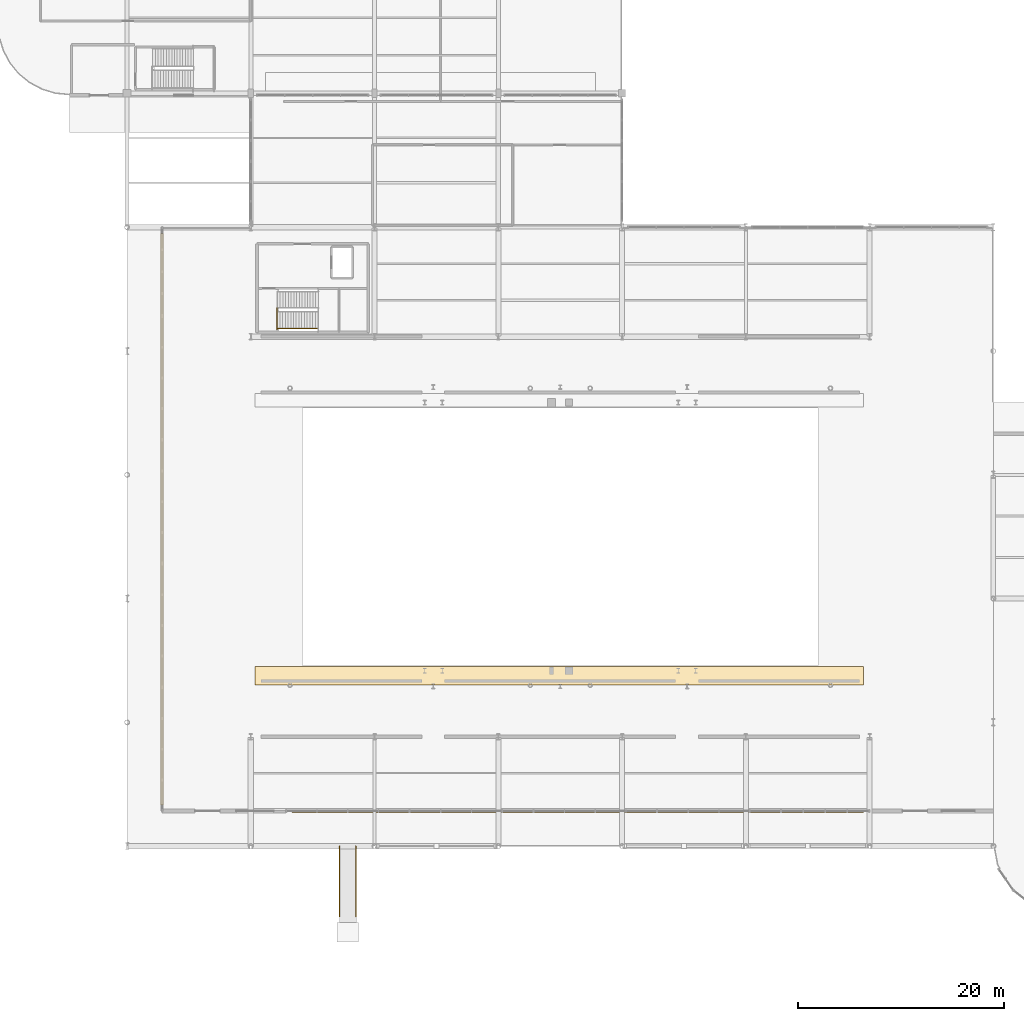
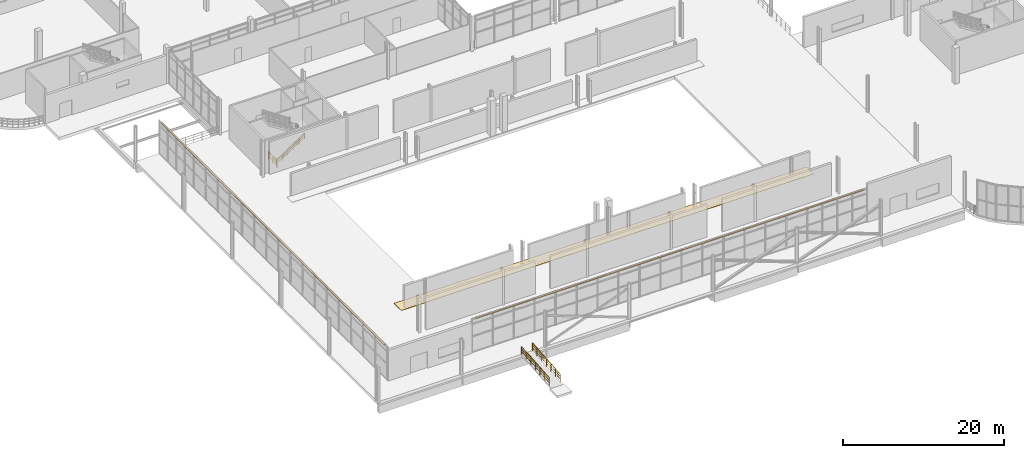
# One storey, part 71 of 85: 4 railings, 3 coverings.
"""IFC4 building model written with IfcOpenShell, lengths in metres."""

from ifc_helpers import new_model, si_unit, direction, frame, origin, origin_2d, place, context, subcontext, project, spatial, rectangle, circle, extrude, material, layer, layer_set, type_object, element, save


model = new_model("IFC4")

# Units and contexts
model_context = context("Model", 3, precision=1e-05, world=origin(), true_north=direction((0.0, 1.0)))
body_context = subcontext(model_context, "Body", "Model", "MODEL_VIEW")
ifc_project = project(units=[si_unit("LENGTHUNIT", "METRE"), si_unit("AREAUNIT", "SQUARE_METRE"), si_unit("VOLUMEUNIT", "CUBIC_METRE"), si_unit("PLANEANGLEUNIT", "RADIAN"), si_unit("MASSUNIT", "GRAM", prefix="KILO"), si_unit("THERMODYNAMICTEMPERATUREUNIT", "KELVIN"), si_unit("POWERUNIT", "WATT")], contexts=[model_context])

# Site, building, storey
site_placement = place(None, origin())
site = spatial("IfcSite", under=ifc_project, at=site_placement, CompositionType="ELEMENT")
building_placement = place(site_placement, origin())
building = spatial("IfcBuilding", under=site, at=building_placement, Name="Solmara Park Aquatics Centre", CompositionType="ELEMENT")
storey_placement = place(building_placement, origin())
storey = spatial("IfcBuildingStorey", under=building, at=storey_placement, Name="L00", CompositionType="ELEMENT", Elevation=0.0)

# Coverings
ifc_material_1 = material(Name="Golden-Ochre Enamelled Aluminium Soffit Band", Category="aluminium")
ifc_layer_1 = layer(ifc_material_1, 0.1201171875, Name="Golden-Ochre Enamelled Aluminium Soffit Band")
ifc_layer_set_1 = layer_set([ifc_layer_1], Name="Golden-Ochre Enamelled Aluminium Soffit Band")
covering_type_1 = type_object("IfcCoveringType", Name="ARC-COV-OCHRE", PredefinedType="CLADDING", material=ifc_layer_set_1)
covering_1_placement = place(storey_placement, frame((56.300048828125, 16.0, 4.989990234375), z_axis=(0.0, 0.0, 1.0), x_axis=(1.0, 0.0, 0.0)))
element("IfcCovering", 1, at=covering_1_placement, inside=storey, type_object=covering_type_1, Name="Golden-Ochre Entrance Soffit Band 01", PredefinedType="CLADDING", context=body_context, shape_type="SweptSolid", body=[
    extrude(rectangle(XDim=55.39990234375, YDim=0.300048828125, at=origin_2d()), origin(), (0.0, 0.0, 1.0), 0.1201171875),
])
covering_2_placement = place(storey_placement, frame((16.0, 44.300048828125, 4.989990234375), z_axis=(0.0, 0.0, 1.0), x_axis=(1.0, 0.0, 0.0)))
element("IfcCovering", 2, at=covering_2_placement, inside=storey, type_object=covering_type_1, Name="Golden-Ochre Entrance Soffit Band 02", PredefinedType="CLADDING", context=body_context, shape_type="SweptSolid", body=[
    extrude(rectangle(XDim=0.300048828125, YDim=55.39990234375, at=origin_2d()), origin(), (0.0, 0.0, 1.0), 0.1201171875),
])
ifc_material_2 = material(Name="Anti-Slip Seafoam Ceramic Pool Deck Tile", Category="ceramic")
ifc_layer_2 = layer(ifc_material_2, 0.030029296875, Name="Anti-Slip Seafoam Ceramic Pool Deck Tile")
ifc_layer_set_2 = layer_set([ifc_layer_2], Name="Anti-Slip Seafoam Ceramic Pool Deck Tile")
covering_type_2 = type_object("IfcCoveringType", Name="ARC-COV-TILE", PredefinedType="FLOORING", material=ifc_layer_set_2)
covering_3_placement = place(storey_placement, frame((54.5, 29.10009765625, 0.0), z_axis=(0.0, 0.0, 1.0), x_axis=(1.0, 0.0, 0.0)))
element("IfcCovering", 3, at=covering_3_placement, inside=storey, type_object=covering_type_2, Name="Seafoam Anti-Slip Pool Deck Tile 01", PredefinedType="FLOORING", context=body_context, shape_type="SweptSolid", body=[
    extrude(rectangle(XDim=59.0, YDim=1.800048828125, at=origin_2d()), origin(), (0.0, 0.0, 1.0), 0.030029296875),
])

# Railings
ifc_material_3 = material(Name="Brushed Marine-Grade Stainless Steel 316L Handrail", Category="steel")
ifc_layer_3 = layer(ifc_material_3, 0.044921875, Name="Brushed Marine-Grade Stainless Steel 316L Handrail")
ifc_layer_set_3 = layer_set([ifc_layer_3], Name="Brushed Marine-Grade Stainless Steel 316L Handrail")
railing_type_1 = type_object("IfcRailingType", Name="ARC-RL-HND090", PredefinedType="HANDRAIL", material=ifc_layer_set_3)
railing_1_placement = place(storey_placement, frame((27.14990234375, 62.81005859375, 0.168701171875)))
element("IfcRailing", 4, at=railing_1_placement, inside=storey, type_object=railing_type_1, Name="ST-04 Protected Exit Stair (L00 to L01) Flight 1 Outer Handrail", PredefinedType="HANDRAIL", context=body_context, shape_type="SweptSolid", body=[
    extrude(circle(Radius=0.02392578125, at=origin_2d()), frame((0.0, 0.0, 0.89599609375), z_axis=(0.827204215732, 0.0, 0.561901401916), x_axis=(0.0, 1.0, 0.0)), (0.0, 0.0, 1.0), 4.805419921875),
    extrude(circle(Radius=0.01416015625, at=origin_2d()), frame((0.0, 0.0, 0.322021484375), z_axis=(0.827204215732, 0.0, 0.561901401916), x_axis=(0.0, 1.0, 0.0)), (0.0, 0.0, 1.0), 4.805419921875),
    extrude(circle(Radius=0.01416015625, at=origin_2d()), frame((0.0, 0.0, 0.62548828125), z_axis=(0.827204215732, 0.0, 0.561901401916), x_axis=(0.0, 1.0, 0.0)), (0.0, 0.0, 1.0), 4.805419921875),
    extrude(circle(Radius=0.02099609375, at=origin_2d()), origin(), (0.0, 0.0, 1.0), 0.871826171875),
    extrude(circle(Radius=0.02099609375, at=origin_2d()), frame((0.794921875, 0.0, 0.5400390625)), (0.0, 0.0, 1.0), 0.871826171875),
    extrude(circle(Radius=0.02099609375, at=origin_2d()), frame((1.590087890625, 0.0, 1.080078125)), (0.0, 0.0, 1.0), 0.871826171875),
    extrude(circle(Radius=0.02099609375, at=origin_2d()), frame((2.385009765625, 0.0, 1.6201171875)), (0.0, 0.0, 1.0), 0.871826171875),
    extrude(circle(Radius=0.02099609375, at=origin_2d()), frame((3.18017578125, 0.0, 2.16015625)), (0.0, 0.0, 1.0), 0.871826171875),
    extrude(circle(Radius=0.02099609375, at=origin_2d()), frame((3.97509765625, 0.0, 2.7001953125)), (0.0, 0.0, 1.0), 0.871826171875),
])
ifc_material_4 = material(Name="Brushed Marine-Grade Stainless Steel 316L Ramp Handrail", Category="steel")
ifc_layer_4 = layer(ifc_material_4, 0.044921875, Name="Brushed Marine-Grade Stainless Steel 316L Ramp Handrail")
ifc_layer_set_4 = layer_set([ifc_layer_4], Name="Brushed Marine-Grade Stainless Steel 316L Ramp Handrail")
railing_type_2 = type_object("IfcRailingType", Name="ARC-RL-RMP090", PredefinedType="GUARDRAIL", material=ifc_layer_set_4)
for number, where, name in (
    (5, (34.780029296875, 5.75, -0.548095703125), "Competition Colonnade Accessible Ramp Handrail 1"),
    (6, (33.219970703125, 5.75, -0.548095703125), "Competition Colonnade Accessible Ramp Handrail 2"),
):
    element("IfcRailing", number, at=place(storey_placement, frame(where)), inside=storey, type_object=railing_type_2, Name=name, PredefinedType="GUARDRAIL", context=body_context, shape_type="SweptSolid", body=[
        extrude(circle(Radius=0.02392578125, at=origin_2d()), frame((0.0, 0.0, 1.1357421875), z_axis=(0.0, 0.996814261787, 0.079757930633), x_axis=(-1.0, 0.0, 0.0)), (0.0, 0.0, 1.0), 6.8720703125),
        extrude(circle(Radius=0.01416015625, at=origin_2d()), frame((0.0, 0.0, 0.406005859375), z_axis=(0.0, 0.996814261787, 0.079757930633), x_axis=(-1.0, 0.0, 0.0)), (0.0, 0.0, 1.0), 6.8720703125),
        extrude(circle(Radius=0.01416015625, at=origin_2d()), frame((0.0, 0.0, 0.788818359375), z_axis=(0.0, 0.996814261787, 0.079757930633), x_axis=(-1.0, 0.0, 0.0)), (0.0, 0.0, 1.0), 6.8720703125),
        extrude(circle(Radius=0.02099609375, at=origin_2d()), origin(), (0.0, 0.0, 1.0), 1.11181640625),
        extrude(circle(Radius=0.02099609375, at=origin_2d()), frame((0.0, 1.1416015625, 0.09130859375)), (0.0, 0.0, 1.0), 1.11181640625),
        extrude(circle(Radius=0.02099609375, at=origin_2d()), frame((0.0, 2.283447265625, 0.1826171875)), (0.0, 0.0, 1.0), 1.11181640625),
        extrude(circle(Radius=0.02099609375, at=origin_2d()), frame((0.0, 3.425048828125, 0.27392578125)), (0.0, 0.0, 1.0), 1.11181640625),
        extrude(circle(Radius=0.02099609375, at=origin_2d()), frame((0.0, 4.566650390625, 0.365478515625)), (0.0, 0.0, 1.0), 1.11181640625),
        extrude(circle(Radius=0.02099609375, at=origin_2d()), frame((0.0, 5.70849609375, 0.456787109375)), (0.0, 0.0, 1.0), 1.11181640625),
        extrude(circle(Radius=0.02099609375, at=origin_2d()), frame((0.0, 6.85009765625, 0.548095703125)), (0.0, 0.0, 1.0), 1.11181640625),
    ])
ifc_material_5 = material(Name="Brushed Stainless Steel Guardrail", Category="steel")
ifc_layer_5 = layer(ifc_material_5, 0.050048828125, Name="Brushed Stainless Steel Guardrail")
ifc_layer_set_5 = layer_set([ifc_layer_5], Name="Brushed Stainless Steel Guardrail")
railing_type_3 = type_object("IfcRailingType", Name="ARC-RL-STR110", PredefinedType="GUARDRAIL", material=ifc_layer_set_5)
railing_2_placement = place(storey_placement, frame((27.1298828125, 62.669921875, 0.0)))
element("IfcRailing", 7, at=railing_2_placement, inside=storey, type_object=railing_type_3, Name="ST-04 Protected Exit Stair (B1 to L00) Arrival Well Guardrail", PredefinedType="GUARDRAIL", context=body_context, shape_type="SweptSolid", body=[
    extrude(circle(Radius=0.02392578125, at=origin_2d()), frame((0.0, 0.0, 1.15576171875), z_axis=(0.0, 1.0, 0.0), x_axis=(-1.0, 0.0, 0.0)), (0.0, 0.0, 1.0), 2.1201171875),
    extrude(circle(Radius=0.01416015625, at=origin_2d()), frame((0.0, 0.0, 0.4130859375), z_axis=(0.0, 1.0, 0.0), x_axis=(-1.0, 0.0, 0.0)), (0.0, 0.0, 1.0), 2.1201171875),
    extrude(circle(Radius=0.01416015625, at=origin_2d()), frame((0.0, 0.0, 0.80224609375), z_axis=(0.0, 1.0, 0.0), x_axis=(-1.0, 0.0, 0.0)), (0.0, 0.0, 1.0), 2.1201171875),
    extrude(circle(Radius=0.02099609375, at=origin_2d()), origin(), (0.0, 0.0, 1.0), 1.1318359375),
    extrude(circle(Radius=0.02099609375, at=origin_2d()), frame((0.0, 1.06005859375, 0.0)), (0.0, 0.0, 1.0), 1.1318359375),
    extrude(circle(Radius=0.02099609375, at=origin_2d()), frame((0.0, 2.1201171875, 0.0)), (0.0, 0.0, 1.0), 1.1318359375),
])

save(model, "model.ifc")
